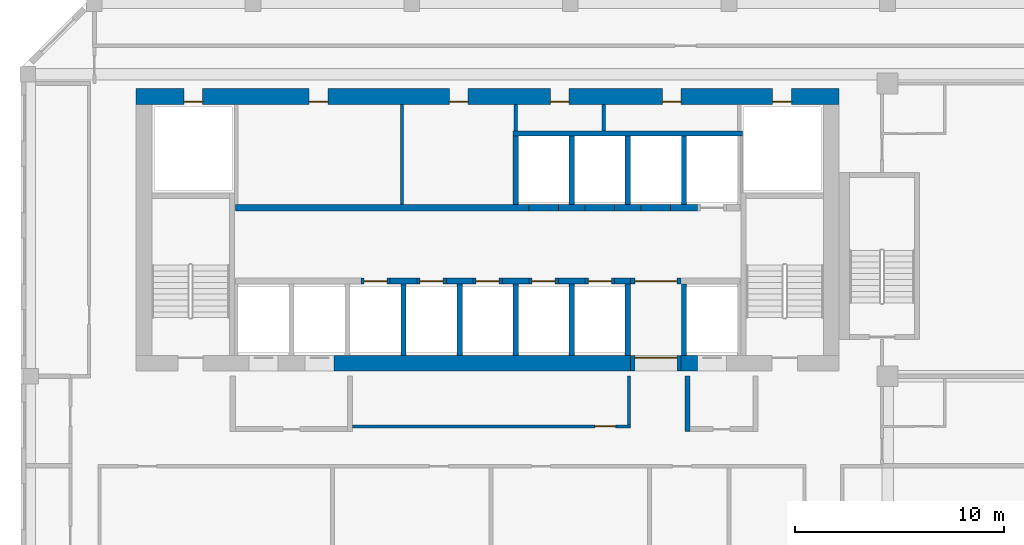
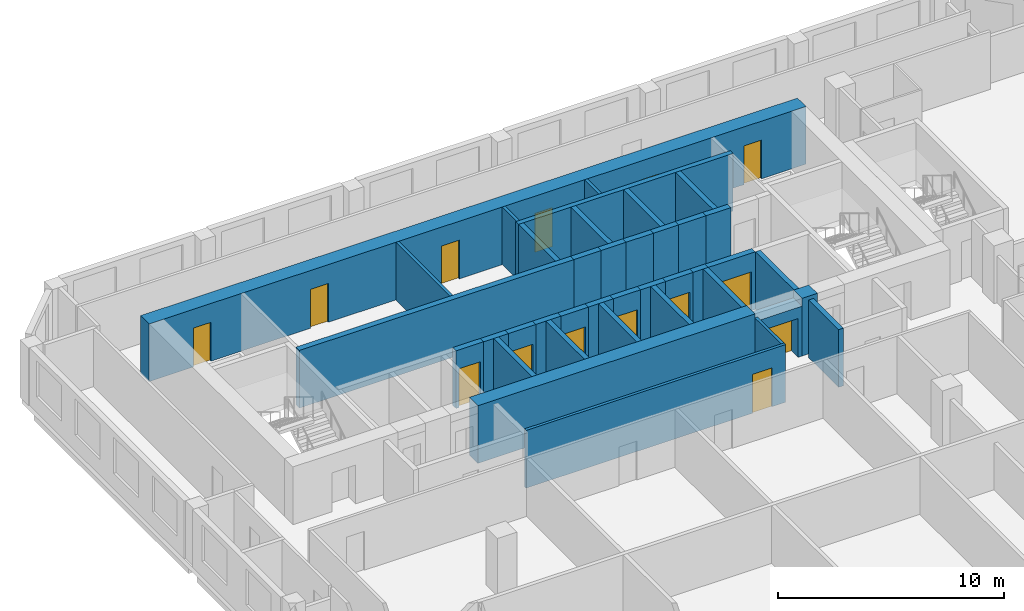
# One storey, part 7 of 21: 39 walls, 14 doors, 14 openings.
"""IFC4 building model written with IfcOpenShell, lengths in metres."""

from ifc_helpers import new_model, si_unit, direction, frame, frame_2d, origin, place, context, subcontext, project, spatial, rectangle, extrude, source, transform, mapped, material, layer, layer_set, type_object, element, fill, save


model = new_model("IFC4")

# Units and contexts
model_context = context("Model", 3, precision=1e-05, world=origin(), true_north=direction((0.0, 1.0)))
body_context = subcontext(model_context, "Body", "Model", "MODEL_VIEW")
ifc_project = project(units=[si_unit("LENGTHUNIT", "METRE"), si_unit("AREAUNIT", "SQUARE_METRE"), si_unit("VOLUMEUNIT", "CUBIC_METRE"), si_unit("PLANEANGLEUNIT", "RADIAN"), si_unit("MASSUNIT", "GRAM", prefix="KILO")], contexts=[model_context])

# Site, building, storey
site_placement = place(None, origin())
site = spatial("IfcSite", under=ifc_project, at=site_placement, CompositionType="ELEMENT")
building_placement = place(site_placement, origin())
building = spatial("IfcBuilding", under=site, at=building_placement, Name="Kilnfold Tower and Market Hall", CompositionType="ELEMENT")
storey_placement = place(building_placement, frame((0.0, 0.0, 210.10009765625)))
storey = spatial("IfcBuildingStorey", under=building, at=storey_placement, Name="L51", CompositionType="ELEMENT", Elevation=210.10009765625)

# Wall, opening, door
ifc_material_1 = material(Name="Gypsum board on steel studs", Category="steel")
ifc_layer_1 = layer(ifc_material_1, 0.14990234375)
ifc_layer_set_1 = layer_set([ifc_layer_1], Name="Gypsum board on steel studs")
wall_type_1 = type_object("IfcWallType", Name="WALL CORRIDOR 150", PredefinedType="PARTITIONING", material=ifc_layer_set_1)
wall_1_placement = place(storey_placement, frame((7.875, 5.60009765625, 0.0), z_axis=(0.0, 0.0, 1.0), x_axis=(-1.0, 0.0, 0.0)))
wall_1 = element("IfcWall", 1, at=wall_1_placement, inside=storey, type_object=wall_type_1, Name="Partition LY31.32", PredefinedType="PARTITIONING", context=body_context, shape_type="SweptSolid", body=[
    extrude(rectangle(XDim=13.27490234375, YDim=0.14990234375, at=frame_2d((6.637451171875, 0.0))), origin(), (0.0, 0.0, 1.0), 3.119873046875),
])
opening_1_placement = place(wall_1_placement, frame((0.702880859375, 0.0, 0.0)))
opening_1 = element("IfcOpeningElement", 2, at=opening_1_placement, cuts=wall_1, Name="Opening D1", PredefinedType="OPENING", context=body_context, shape_type="SweptSolid", body=[
    extrude(rectangle(XDim=1.0, YDim=2.10009765625, at=frame_2d((0.5, 1.050048828125))), frame((0.0, 0.0849609375, 0.0), z_axis=(0.0, -1.0, 0.0), x_axis=(1.0, 0.0, 0.0)), (0.0, 0.0, 1.0), 0.169921875),
])
ifc_material_2 = material(Name="Timber veneer door leaf in steel frame", Category="steel")
door_type_1 = type_object("IfcDoorType", Name="DOOR ENTRY 1000 X2100", OperationType="NOTDEFINED", PredefinedType="DOOR", material=ifc_material_2)
door_1_placement = place(opening_1_placement, origin())
door_1 = element("IfcDoor", 3, at=door_1_placement, inside=storey, type_object=door_type_1, Name="Door D1", OperationType="SINGLE_SWING_RIGHT", OverallHeight=2.10009765625, OverallWidth=1.0, PredefinedType="DOOR", context=body_context, shape_type="SweptSolid", body=[
    extrude(rectangle(XDim=1.0, YDim=2.10009765625, at=frame_2d((0.5, 1.050048828125))), frame((0.0, 0.02490234375, 0.0), z_axis=(0.0, -1.0, 0.0), x_axis=(1.0, 0.0, 0.0)), (0.0, 0.0, 1.0), 0.050048828125),
])
fill(opening_1, door_1)

# Walls
wall_2_placement = place(storey_placement, frame((7.800048828125, 8.0, 0.0), z_axis=(0.0, 0.0, 1.0), x_axis=(0.0, -1.0, 0.0)))
element("IfcWall", 4, at=wall_2_placement, inside=storey, type_object=wall_type_1, Name="Partition LY31.33", PredefinedType="PARTITIONING", context=body_context, shape_type="SweptSolid", body=[
    extrude(rectangle(XDim=2.324951171875, YDim=0.14990234375, at=frame_2d((1.16259765625, 0.0))), origin(), (0.0, 0.0, 1.0), 3.119873046875),
])
ifc_material_3 = material(Name="Concrete C60", Category="concrete")
ifc_layer_2 = layer(ifc_material_3, 0.300048828125)
ifc_layer_set_2 = layer_set([ifc_layer_2], Name="Concrete C60")
wall_type_2 = type_object("IfcWallType", Name="CORE WALL 300 C60", PredefinedType="SHEAR", material=ifc_layer_set_2)
shared_shape_1 = source(origin(), body_context, "Body", "SweptSolid", [
    extrude(rectangle(XDim=1.280029296875, YDim=0.300048828125, at=frame_2d((0.64013671875, 0.0))), origin(), (0.0, 0.0, 1.0), 3.119873046875),
])
for number, where, z_axis, x_axis, name in (
    (5, (-3.610107421875, 12.550048828125, 0.0), (0.0, 0.0, 1.0), (1.0, 0.0, 0.0), "Core spine wall"),
    (6, (-0.929931640625, 12.550048828125, 0.0), (0.0, 0.0, 1.0), (1.0, 0.0, 0.0), "Core spine wall"),
    (7, (1.75, 12.550048828125, 0.0), (0.0, 0.0, 1.0), (1.0, 0.0, 0.0), "Core spine wall"),
    (8, (4.429931640625, 12.550048828125, 0.0), (0.0, 0.0, 1.0), (1.0, 0.0, 0.0), "Core spine wall"),
    (9, (4.429931640625, 16.050048828125, 0.0), (0.0, 0.0, 1.0), (1.0, 0.0, 0.0), "Core spine wall"),
    (10, (9.7900390625, 16.050048828125, 0.0), (0.0, 0.0, 1.0), (1.0, 0.0, 0.0), "Core spine wall"),
):
    element("IfcWall", number, at=place(storey_placement, frame(where, z_axis=z_axis, x_axis=x_axis)), inside=storey, type_object=wall_type_2, Name=name, PredefinedType="SHEAR", context=body_context, shape_type="MappedRepresentation", body=[
        mapped(shared_shape_1, transform((0.0, 0.0, 0.0))),
    ])
shared_shape_2 = source(origin(), body_context, "Body", "SweptSolid", [
    extrude(rectangle(XDim=0.77978515625, YDim=0.300048828125, at=frame_2d((0.389892578125, 0.0))), origin(), (0.0, 0.0, 1.0), 3.119873046875),
])
wall_3_placement = place(storey_placement, frame((7.110107421875, 12.550048828125, 0.0), z_axis=(0.0, 0.0, 1.0), x_axis=(1.0, 0.0, 0.0)))
element("IfcWall", 11, at=wall_3_placement, inside=storey, type_object=wall_type_2, Name="Core spine wall", PredefinedType="SHEAR", context=body_context, shape_type="MappedRepresentation", body=[
    mapped(shared_shape_2, transform((0.0, 0.0, 0.0))),
])
shared_shape_3 = source(origin(), body_context, "Body", "SweptSolid", [
    extrude(rectangle(XDim=14.0400390625, YDim=0.300048828125, at=frame_2d((7.02001953125, 0.0))), origin(), (0.0, 0.0, 1.0), 3.119873046875),
])
wall_4_placement = place(storey_placement, frame((-11.010009765625, 16.050048828125, 0.0), z_axis=(0.0, 0.0, 1.0), x_axis=(1.0, 0.0, 0.0)))
element("IfcWall", 12, at=wall_4_placement, inside=storey, type_object=wall_type_2, Name="Core spine wall", PredefinedType="SHEAR", context=body_context, shape_type="MappedRepresentation", body=[
    mapped(shared_shape_3, transform((0.0, 0.0, 0.0))),
])
shared_shape_4 = source(origin(), body_context, "Body", "SweptSolid", [
    extrude(rectangle(XDim=1.27978515625, YDim=0.300048828125, at=frame_2d((0.639892578125, 0.0))), origin(), (0.0, 0.0, 1.0), 3.119873046875),
])
wall_5_placement = place(storey_placement, frame((7.110107421875, 16.050048828125, 0.0), z_axis=(0.0, 0.0, 1.0), x_axis=(1.0, 0.0, 0.0)))
element("IfcWall", 13, at=wall_5_placement, inside=storey, type_object=wall_type_2, Name="Core spine wall", PredefinedType="SHEAR", context=body_context, shape_type="MappedRepresentation", body=[
    mapped(shared_shape_4, transform((0.0, 0.0, 0.0))),
])
ifc_material_4 = material(Name="Concrete C60", Category="concrete")
ifc_layer_3 = layer(ifc_material_4, 0.75)
ifc_layer_set_3 = layer_set([ifc_layer_3], Name="Concrete C60")
wall_type_3 = type_object("IfcWallType", Name="CORE WALL 750 C60", PredefinedType="SHEAR", material=ifc_layer_set_3)
shared_shape_5 = source(origin(), body_context, "Body", "SweptSolid", [
    extrude(rectangle(XDim=14.179931640625, YDim=0.75, at=frame_2d((7.08984375, 0.0))), origin(), (0.0, 0.0, 1.0), 3.119873046875),
])
wall_6_placement = place(storey_placement, frame((-6.2900390625, 8.625, 0.0), z_axis=(0.0, 0.0, 1.0), x_axis=(1.0, 0.0, 0.0)))
element("IfcWall", 14, at=wall_6_placement, inside=storey, type_object=wall_type_3, Name="Core outer wall south", PredefinedType="SHEAR", context=body_context, shape_type="MappedRepresentation", body=[
    mapped(shared_shape_5, transform((0.0, 0.0, 0.0))),
])
shared_shape_6 = source(origin(), body_context, "Body", "SweptSolid", [
    extrude(rectangle(XDim=0.780029296875, YDim=0.75, at=frame_2d((0.39013671875, 0.0))), origin(), (0.0, 0.0, 1.0), 3.119873046875),
])
wall_7_placement = place(storey_placement, frame((10.2900390625, 8.625, 0.0), z_axis=(0.0, 0.0, 1.0), x_axis=(1.0, 0.0, 0.0)))
element("IfcWall", 15, at=wall_7_placement, inside=storey, type_object=wall_type_3, Name="Core outer wall south", PredefinedType="SHEAR", context=body_context, shape_type="MappedRepresentation", body=[
    mapped(shared_shape_6, transform((0.0, 0.0, 0.0))),
])

# Wall, openings, doors
shared_shape_7 = source(origin(), body_context, "Body", "SweptSolid", [
    extrude(rectangle(XDim=33.60009765625, YDim=0.75, at=frame_2d((16.800048828125, 0.0))), origin(), (0.0, 0.0, 1.0), 3.119873046875),
])
wall_8_placement = place(storey_placement, frame((-15.75, 21.375, 0.0), z_axis=(0.0, 0.0, 1.0), x_axis=(1.0, 0.0, 0.0)))
wall_8 = element("IfcWall", 16, at=wall_8_placement, inside=storey, type_object=wall_type_3, Name="Core outer wall north", PredefinedType="SHEAR", context=body_context, shape_type="MappedRepresentation", body=[
    mapped(shared_shape_7, transform((0.0, 0.0, 0.0))),
])
opening_2_placement = place(wall_8_placement, frame((8.269775390625, 0.0, 0.0)))
opening_2 = element("IfcOpeningElement", 17, at=opening_2_placement, cuts=wall_8, Name="Opening KD1", PredefinedType="OPENING", context=body_context, shape_type="SweptSolid", body=[
    extrude(rectangle(XDim=0.89990234375, YDim=2.10009765625, at=frame_2d((0.449951171875, 1.050048828125))), frame((0.0, 0.385009765625, 0.0), z_axis=(0.0, -1.0, 0.0), x_axis=(1.0, 0.0, 0.0)), (0.0, 0.0, 1.0), 0.77001953125),
])
opening_3_placement = place(wall_8_placement, frame((14.9697265625, 0.0, 0.0)))
opening_3 = element("IfcOpeningElement", 18, at=opening_3_placement, cuts=wall_8, Name="Opening KD1", PredefinedType="OPENING", context=body_context, shape_type="SweptSolid", body=[
    extrude(rectangle(XDim=0.89990234375, YDim=2.10009765625, at=frame_2d((0.449951171875, 1.050048828125))), frame((0.0, 0.385009765625, 0.0), z_axis=(0.0, -1.0, 0.0), x_axis=(1.0, 0.0, 0.0)), (0.0, 0.0, 1.0), 0.77001953125),
])
opening_4_placement = place(wall_8_placement, frame((19.793701171875, 0.0, 0.0)))
opening_4 = element("IfcOpeningElement", 19, at=opening_4_placement, cuts=wall_8, Name="Opening KD1", PredefinedType="OPENING", context=body_context, shape_type="SweptSolid", body=[
    extrude(rectangle(XDim=0.89990234375, YDim=2.10009765625, at=frame_2d((0.449951171875, 1.050048828125))), frame((0.0, 0.385009765625, 0.0), z_axis=(0.0, -1.0, 0.0), x_axis=(1.0, 0.0, 0.0)), (0.0, 0.0, 1.0), 0.77001953125),
])
opening_5_placement = place(wall_8_placement, frame((25.15380859375, 0.0, 0.0)))
opening_5 = element("IfcOpeningElement", 20, at=opening_5_placement, cuts=wall_8, Name="Opening KD1", PredefinedType="OPENING", context=body_context, shape_type="SweptSolid", body=[
    extrude(rectangle(XDim=0.89990234375, YDim=2.10009765625, at=frame_2d((0.449951171875, 1.050048828125))), frame((0.0, 0.385009765625, 0.0), z_axis=(0.0, -1.0, 0.0), x_axis=(1.0, 0.0, 0.0)), (0.0, 0.0, 1.0), 0.77001953125),
])
opening_6_placement = place(wall_8_placement, frame((2.27490234375, 0.0, 0.0)))
opening_6 = element("IfcOpeningElement", 21, at=opening_6_placement, cuts=wall_8, Name="Opening KD1", PredefinedType="OPENING", context=body_context, shape_type="SweptSolid", body=[
    extrude(rectangle(XDim=0.89990234375, YDim=2.10009765625, at=frame_2d((0.449951171875, 1.050048828125))), frame((0.0, 0.385009765625, 0.0), z_axis=(0.0, -1.0, 0.0), x_axis=(1.0, 0.0, 0.0)), (0.0, 0.0, 1.0), 0.77001953125),
])
opening_7_placement = place(wall_8_placement, frame((30.425048828125, 0.0, 0.0)))
opening_7 = element("IfcOpeningElement", 22, at=opening_7_placement, cuts=wall_8, Name="Opening KD1", PredefinedType="OPENING", context=body_context, shape_type="SweptSolid", body=[
    extrude(rectangle(XDim=0.89990234375, YDim=2.10009765625, at=frame_2d((0.449951171875, 1.050048828125))), frame((0.0, 0.385009765625, 0.0), z_axis=(0.0, -1.0, 0.0), x_axis=(1.0, 0.0, 0.0)), (0.0, 0.0, 1.0), 0.77001953125),
])
ifc_material_5 = material(Name="Steel door set with fire-resisting leaf", Category="steel")
door_type_2 = type_object("IfcDoorType", Name="SERVICE DOOR 900X2100", OperationType="NOTDEFINED", PredefinedType="DOOR", material=ifc_material_5)
door_2_placement = place(opening_2_placement, origin())
door_2 = element("IfcDoor", 23, at=door_2_placement, inside=storey, type_object=door_type_2, Name="Core service door", OperationType="SINGLE_SWING_RIGHT", OverallHeight=2.10009765625, OverallWidth=0.89990234375, PredefinedType="DOOR", context=body_context, shape_type="SweptSolid", body=[
    extrude(rectangle(XDim=0.89990234375, YDim=2.10009765625, at=frame_2d((0.449951171875, 1.050048828125))), frame((0.0, -0.22998046875, 0.0), z_axis=(0.0, -1.0, 0.0), x_axis=(1.0, 0.0, 0.0)), (0.0, 0.0, 1.0), 0.050048828125),
])
fill(opening_2, door_2)
door_3_placement = place(opening_3_placement, origin())
door_3 = element("IfcDoor", 24, at=door_3_placement, inside=storey, type_object=door_type_2, Name="Core service door", OperationType="SINGLE_SWING_LEFT", OverallHeight=2.10009765625, OverallWidth=0.89990234375, PredefinedType="DOOR", context=body_context, shape_type="SweptSolid", body=[
    extrude(rectangle(XDim=0.89990234375, YDim=2.10009765625, at=frame_2d((0.449951171875, 1.050048828125))), frame((0.0, -0.22998046875, 0.0), z_axis=(0.0, -1.0, 0.0), x_axis=(1.0, 0.0, 0.0)), (0.0, 0.0, 1.0), 0.050048828125),
])
fill(opening_3, door_3)
door_4_placement = place(opening_4_placement, origin())
door_4 = element("IfcDoor", 25, at=door_4_placement, inside=storey, type_object=door_type_2, Name="Core service door", OperationType="SINGLE_SWING_RIGHT", OverallHeight=2.10009765625, OverallWidth=0.89990234375, PredefinedType="DOOR", context=body_context, shape_type="SweptSolid", body=[
    extrude(rectangle(XDim=0.89990234375, YDim=2.10009765625, at=frame_2d((0.449951171875, 1.050048828125))), frame((0.0, -0.22998046875, 0.0), z_axis=(0.0, -1.0, 0.0), x_axis=(1.0, 0.0, 0.0)), (0.0, 0.0, 1.0), 0.050048828125),
])
fill(opening_4, door_4)
door_5_placement = place(opening_5_placement, origin())
door_5 = element("IfcDoor", 26, at=door_5_placement, inside=storey, type_object=door_type_2, Name="Core service door", OperationType="SINGLE_SWING_LEFT", OverallHeight=2.10009765625, OverallWidth=0.89990234375, PredefinedType="DOOR", context=body_context, shape_type="SweptSolid", body=[
    extrude(rectangle(XDim=0.89990234375, YDim=2.10009765625, at=frame_2d((0.449951171875, 1.050048828125))), frame((0.0, -0.22998046875, 0.0), z_axis=(0.0, -1.0, 0.0), x_axis=(1.0, 0.0, 0.0)), (0.0, 0.0, 1.0), 0.050048828125),
])
fill(opening_5, door_5)
door_6_placement = place(opening_6_placement, origin())
door_6 = element("IfcDoor", 27, at=door_6_placement, inside=storey, type_object=door_type_2, Name="Electrical riser access door", OperationType="SINGLE_SWING_RIGHT", OverallHeight=2.10009765625, OverallWidth=0.89990234375, PredefinedType="DOOR", context=body_context, shape_type="SweptSolid", body=[
    extrude(rectangle(XDim=0.89990234375, YDim=2.10009765625, at=frame_2d((0.449951171875, 1.050048828125))), frame((0.0, -0.22998046875, 0.0), z_axis=(0.0, -1.0, 0.0), x_axis=(1.0, 0.0, 0.0)), (0.0, 0.0, 1.0), 0.050048828125),
])
fill(opening_6, door_6)
door_7_placement = place(opening_7_placement, origin())
door_7 = element("IfcDoor", 28, at=door_7_placement, inside=storey, type_object=door_type_2, Name="Mechanical riser access door", OperationType="SINGLE_SWING_LEFT", OverallHeight=2.10009765625, OverallWidth=0.89990234375, PredefinedType="DOOR", context=body_context, shape_type="SweptSolid", body=[
    extrude(rectangle(XDim=0.89990234375, YDim=2.10009765625, at=frame_2d((0.449951171875, 1.050048828125))), frame((0.0, -0.22998046875, 0.0), z_axis=(0.0, -1.0, 0.0), x_axis=(1.0, 0.0, 0.0)), (0.0, 0.0, 1.0), 0.050048828125),
])
fill(opening_7, door_7)

# Wall, opening, door
ifc_material_6 = material(Name="Gypsum shaft wall system")
ifc_layer_4 = layer(ifc_material_6, 0.300048828125)
ifc_layer_set_4 = layer_set([ifc_layer_4], Name="Gypsum shaft wall system")
wall_type_4 = type_object("IfcWallType", Name="SHAFT WALL 300", PredefinedType="PARTITIONING", material=ifc_layer_set_4)
shared_shape_8 = source(origin(), body_context, "Body", "SweptSolid", [
    extrude(rectangle(XDim=1.39990234375, YDim=0.300048828125, at=frame_2d((0.699951171875, 0.0))), origin(), (0.0, 0.0, 1.0), 3.119873046875),
])
wall_9_placement = place(storey_placement, frame((-5.010009765625, 12.550048828125, 0.0), z_axis=(0.0, 0.0, 1.0), x_axis=(1.0, 0.0, 0.0)))
wall_9 = element("IfcWall", 29, at=wall_9_placement, inside=storey, type_object=wall_type_4, Name="Lift shaft front wall", PredefinedType="PARTITIONING", context=body_context, shape_type="MappedRepresentation", body=[
    mapped(shared_shape_8, transform((0.0, 0.0, 0.0))),
])
opening_8_placement = place(wall_9_placement, frame((0.14990234375, 0.0, 0.0)))
opening_8 = element("IfcOpeningElement", 30, at=opening_8_placement, cuts=wall_9, Name="Opening LD2", PredefinedType="OPENING", context=body_context, shape_type="SweptSolid", body=[
    extrude(rectangle(XDim=1.10009765625, YDim=2.10009765625, at=frame_2d((0.550048828125, 1.050048828125))), frame((0.0, 0.16015625, 0.0), z_axis=(0.0, -1.0, 0.0), x_axis=(1.0, 0.0, 0.0)), (0.0, 0.0, 1.0), 0.320068359375),
])
ifc_material_7 = material(Name="Steel door set with fire-resisting leaf", Category="steel")
door_type_3 = type_object("IfcDoorType", Name="LANDING DOOR 1100X2100", OperationType="NOTDEFINED", PredefinedType="DOOR", material=ifc_material_7)
door_8_placement = place(opening_8_placement, origin())
door_8 = element("IfcDoor", 31, at=door_8_placement, inside=storey, type_object=door_type_3, Name="Landing door MR1", OperationType="DOUBLE_DOOR_SLIDING", OverallHeight=2.10009765625, OverallWidth=1.10009765625, PredefinedType="DOOR", context=body_context, shape_type="SweptSolid", body=[
    extrude(rectangle(XDim=1.10009765625, YDim=2.10009765625, at=frame_2d((0.550048828125, 1.050048828125))), frame((0.0, 0.02490234375, 0.0), z_axis=(0.0, -1.0, 0.0), x_axis=(1.0, 0.0, 0.0)), (0.0, 0.0, 1.0), 0.050048828125),
])
fill(opening_8, door_8)

wall_10_placement = place(storey_placement, frame((0.35009765625, 12.550048828125, 0.0), z_axis=(0.0, 0.0, 1.0), x_axis=(1.0, 0.0, 0.0)))
wall_10 = element("IfcWall", 32, at=wall_10_placement, inside=storey, type_object=wall_type_4, Name="Lift shaft front wall", PredefinedType="PARTITIONING", context=body_context, shape_type="MappedRepresentation", body=[
    mapped(shared_shape_8, transform((0.0, 0.0, 0.0))),
])
opening_9_placement = place(wall_10_placement, frame((0.14990234375, 0.0, 0.0)))
opening_9 = element("IfcOpeningElement", 33, at=opening_9_placement, cuts=wall_10, Name="Opening LD2", PredefinedType="OPENING", context=body_context, shape_type="SweptSolid", body=[
    extrude(rectangle(XDim=1.10009765625, YDim=2.10009765625, at=frame_2d((0.550048828125, 1.050048828125))), frame((0.0, 0.16015625, 0.0), z_axis=(0.0, -1.0, 0.0), x_axis=(1.0, 0.0, 0.0)), (0.0, 0.0, 1.0), 0.320068359375),
])
door_9_placement = place(opening_9_placement, origin())
door_9 = element("IfcDoor", 34, at=door_9_placement, inside=storey, type_object=door_type_3, Name="Landing door MR3", OperationType="DOUBLE_DOOR_SLIDING", OverallHeight=2.10009765625, OverallWidth=1.10009765625, PredefinedType="DOOR", context=body_context, shape_type="SweptSolid", body=[
    extrude(rectangle(XDim=1.10009765625, YDim=2.10009765625, at=frame_2d((0.550048828125, 1.050048828125))), frame((0.0, 0.02490234375, 0.0), z_axis=(0.0, -1.0, 0.0), x_axis=(1.0, 0.0, 0.0)), (0.0, 0.0, 1.0), 0.050048828125),
])
fill(opening_9, door_9)

wall_11_placement = place(storey_placement, frame((3.030029296875, 12.550048828125, 0.0), z_axis=(0.0, 0.0, 1.0), x_axis=(1.0, 0.0, 0.0)))
wall_11 = element("IfcWall", 35, at=wall_11_placement, inside=storey, type_object=wall_type_4, Name="Lift shaft front wall", PredefinedType="PARTITIONING", context=body_context, shape_type="MappedRepresentation", body=[
    mapped(shared_shape_8, transform((0.0, 0.0, 0.0))),
])
opening_10_placement = place(wall_11_placement, frame((0.14990234375, 0.0, 0.0)))
opening_10 = element("IfcOpeningElement", 36, at=opening_10_placement, cuts=wall_11, Name="Opening LD2", PredefinedType="OPENING", context=body_context, shape_type="SweptSolid", body=[
    extrude(rectangle(XDim=1.10009765625, YDim=2.10009765625, at=frame_2d((0.550048828125, 1.050048828125))), frame((0.0, 0.16015625, 0.0), z_axis=(0.0, -1.0, 0.0), x_axis=(1.0, 0.0, 0.0)), (0.0, 0.0, 1.0), 0.320068359375),
])
door_10_placement = place(opening_10_placement, origin())
door_10 = element("IfcDoor", 37, at=door_10_placement, inside=storey, type_object=door_type_3, Name="Landing door MR4", OperationType="DOUBLE_DOOR_SLIDING", OverallHeight=2.10009765625, OverallWidth=1.10009765625, PredefinedType="DOOR", context=body_context, shape_type="SweptSolid", body=[
    extrude(rectangle(XDim=1.10009765625, YDim=2.10009765625, at=frame_2d((0.550048828125, 1.050048828125))), frame((0.0, 0.02490234375, 0.0), z_axis=(0.0, -1.0, 0.0), x_axis=(1.0, 0.0, 0.0)), (0.0, 0.0, 1.0), 0.050048828125),
])
fill(opening_10, door_10)

# Wall
wall_12_placement = place(storey_placement, frame((3.030029296875, 16.050048828125, 0.0), z_axis=(0.0, 0.0, 1.0), x_axis=(1.0, 0.0, 0.0)))
element("IfcWall", 38, at=wall_12_placement, inside=storey, type_object=wall_type_4, Name="Lift shaft front wall", PredefinedType="PARTITIONING", context=body_context, shape_type="MappedRepresentation", body=[
    mapped(shared_shape_8, transform((0.0, 0.0, 0.0))),
])

# Wall, opening, door
shared_shape_9 = source(origin(), body_context, "Body", "SweptSolid", [
    extrude(rectangle(XDim=1.400146484375, YDim=0.300048828125, at=frame_2d((0.7001953125, 0.0))), origin(), (0.0, 0.0, 1.0), 3.119873046875),
])
wall_13_placement = place(storey_placement, frame((-2.330078125, 12.550048828125, 0.0), z_axis=(0.0, 0.0, 1.0), x_axis=(1.0, 0.0, 0.0)))
wall_13 = element("IfcWall", 39, at=wall_13_placement, inside=storey, type_object=wall_type_4, Name="Lift shaft front wall", PredefinedType="PARTITIONING", context=body_context, shape_type="MappedRepresentation", body=[
    mapped(shared_shape_9, transform((0.0, 0.0, 0.0))),
])
opening_11_placement = place(wall_13_placement, frame((0.14990234375, 0.0, 0.0)))
opening_11 = element("IfcOpeningElement", 40, at=opening_11_placement, cuts=wall_13, Name="Opening LD2", PredefinedType="OPENING", context=body_context, shape_type="SweptSolid", body=[
    extrude(rectangle(XDim=1.10009765625, YDim=2.10009765625, at=frame_2d((0.550048828125, 1.050048828125))), frame((0.0, 0.16015625, 0.0), z_axis=(0.0, -1.0, 0.0), x_axis=(1.0, 0.0, 0.0)), (0.0, 0.0, 1.0), 0.320068359375),
])
door_11_placement = place(opening_11_placement, origin())
door_11 = element("IfcDoor", 41, at=door_11_placement, inside=storey, type_object=door_type_3, Name="Landing door MR2", OperationType="DOUBLE_DOOR_SLIDING", OverallHeight=2.10009765625, OverallWidth=1.10009765625, PredefinedType="DOOR", context=body_context, shape_type="SweptSolid", body=[
    extrude(rectangle(XDim=1.10009765625, YDim=2.10009765625, at=frame_2d((0.550048828125, 1.050048828125))), frame((0.0, 0.02490234375, 0.0), z_axis=(0.0, -1.0, 0.0), x_axis=(1.0, 0.0, 0.0)), (0.0, 0.0, 1.0), 0.050048828125),
])
fill(opening_11, door_11)

wall_14_placement = place(storey_placement, frame((5.7099609375, 12.550048828125, 0.0), z_axis=(0.0, 0.0, 1.0), x_axis=(1.0, 0.0, 0.0)))
wall_14 = element("IfcWall", 42, at=wall_14_placement, inside=storey, type_object=wall_type_4, Name="Lift shaft front wall", PredefinedType="PARTITIONING", context=body_context, shape_type="MappedRepresentation", body=[
    mapped(shared_shape_9, transform((0.0, 0.0, 0.0))),
])
opening_12_placement = place(wall_14_placement, frame((0.14990234375, 0.0, 0.0)))
opening_12 = element("IfcOpeningElement", 43, at=opening_12_placement, cuts=wall_14, Name="Opening LD2", PredefinedType="OPENING", context=body_context, shape_type="SweptSolid", body=[
    extrude(rectangle(XDim=1.10009765625, YDim=2.10009765625, at=frame_2d((0.550048828125, 1.050048828125))), frame((0.0, 0.16015625, 0.0), z_axis=(0.0, -1.0, 0.0), x_axis=(1.0, 0.0, 0.0)), (0.0, 0.0, 1.0), 0.320068359375),
])
door_12_placement = place(opening_12_placement, origin())
door_12 = element("IfcDoor", 44, at=door_12_placement, inside=storey, type_object=door_type_3, Name="Landing door MR5", OperationType="DOUBLE_DOOR_SLIDING", OverallHeight=2.10009765625, OverallWidth=1.10009765625, PredefinedType="DOOR", context=body_context, shape_type="SweptSolid", body=[
    extrude(rectangle(XDim=1.10009765625, YDim=2.10009765625, at=frame_2d((0.550048828125, 1.050048828125))), frame((0.0, 0.02490234375, 0.0), z_axis=(0.0, -1.0, 0.0), x_axis=(1.0, 0.0, 0.0)), (0.0, 0.0, 1.0), 0.050048828125),
])
fill(opening_12, door_12)

# Walls
for number, where, z_axis, x_axis, name in (
    (45, (5.7099609375, 16.050048828125, 0.0), (0.0, 0.0, 1.0), (1.0, 0.0, 0.0), "Lift shaft front wall"),
    (46, (8.389892578125, 16.050048828125, 0.0), (0.0, 0.0, 1.0), (1.0, 0.0, 0.0), "Lift shaft front wall"),
):
    element("IfcWall", number, at=place(storey_placement, frame(where, z_axis=z_axis, x_axis=x_axis)), inside=storey, type_object=wall_type_4, Name=name, PredefinedType="PARTITIONING", context=body_context, shape_type="MappedRepresentation", body=[
        mapped(shared_shape_9, transform((0.0, 0.0, 0.0))),
    ])

# Wall, opening, door
shared_shape_10 = source(origin(), body_context, "Body", "SweptSolid", [
    extrude(rectangle(XDim=2.400146484375, YDim=0.300048828125, at=frame_2d((1.2001953125, 0.0))), origin(), (0.0, 0.0, 1.0), 3.119873046875),
])
wall_15_placement = place(storey_placement, frame((7.889892578125, 12.550048828125, 0.0), z_axis=(0.0, 0.0, 1.0), x_axis=(1.0, 0.0, 0.0)))
wall_15 = element("IfcWall", 47, at=wall_15_placement, inside=storey, type_object=wall_type_4, Name="Lift shaft front wall", PredefinedType="PARTITIONING", context=body_context, shape_type="MappedRepresentation", body=[
    mapped(shared_shape_10, transform((0.0, 0.0, 0.0))),
])
opening_13_placement = place(wall_15_placement, frame((0.199951171875, 0.0, 0.0)))
opening_13 = element("IfcOpeningElement", 48, at=opening_13_placement, cuts=wall_15, Name="Opening VD2", PredefinedType="OPENING", context=body_context, shape_type="SweptSolid", body=[
    extrude(rectangle(XDim=2.0, YDim=2.10009765625, at=frame_2d((1.0, 1.050048828125))), frame((0.0, 0.16015625, 0.0), z_axis=(0.0, -1.0, 0.0), x_axis=(1.0, 0.0, 0.0)), (0.0, 0.0, 1.0), 0.320068359375),
])
ifc_material_8 = material(Name="Steel door set with fire-resisting leaf", Category="steel")
door_type_4 = type_object("IfcDoorType", Name="LIFT LOBBY ENTRANCE DOOR 2000X2100", OperationType="NOTDEFINED", PredefinedType="DOOR", material=ifc_material_8)
door_13_placement = place(opening_13_placement, origin())
door_13 = element("IfcDoor", 49, at=door_13_placement, inside=storey, type_object=door_type_4, Name="Lift lobby entrance door", OperationType="DOUBLE_DOOR_SINGLE_SWING", OverallHeight=2.10009765625, OverallWidth=2.0, PredefinedType="DOOR", context=body_context, shape_type="SweptSolid", body=[
    extrude(rectangle(XDim=2.0, YDim=2.10009765625, at=frame_2d((1.0, 1.050048828125))), frame((0.0, 0.02490234375, 0.0), z_axis=(0.0, -1.0, 0.0), x_axis=(1.0, 0.0, 0.0)), (0.0, 0.0, 1.0), 0.050048828125),
])
fill(opening_13, door_13)

# Walls
ifc_material_9 = material(Name="Gypsum shaft wall system")
ifc_layer_5 = layer(ifc_material_9, 0.25)
ifc_layer_set_5 = layer_set([ifc_layer_5], Name="Gypsum shaft wall system")
wall_type_5 = type_object("IfcWallType", Name="LOBBY WALL 250", PredefinedType="PARTITIONING", material=ifc_layer_set_5)
shared_shape_11 = source(origin(), body_context, "Body", "SweptSolid", [
    extrude(rectangle(XDim=2.64990234375, YDim=0.25, at=frame_2d((1.324951171875, 0.0))), origin(), (0.0, 0.0, 1.0), 3.119873046875),
])
wall_16_placement = place(storey_placement, frame((10.60498046875, 5.35009765625, 0.0), z_axis=(0.0, 0.0, 1.0), x_axis=(0.0, 1.0, 0.0)))
element("IfcWall", 50, at=wall_16_placement, inside=storey, type_object=wall_type_5, Name="Firefighting lobby wall", PredefinedType="PARTITIONING", context=body_context, shape_type="MappedRepresentation", body=[
    mapped(shared_shape_11, transform((0.0, 0.0, 0.0))),
])
ifc_material_10 = material(Name="Gypsum shaft wall system")
ifc_layer_6 = layer(ifc_material_10, 0.25)
ifc_layer_set_6 = layer_set([ifc_layer_6], Name="Gypsum shaft wall system")
wall_type_6 = type_object("IfcWallType", Name="SHAFT WALL 250", PredefinedType="PARTITIONING", material=ifc_layer_set_6)
shared_shape_12 = source(origin(), body_context, "Body", "SweptSolid", [
    extrude(rectangle(XDim=10.97021484375, YDim=0.25, at=frame_2d((5.485107421875, 0.0))), origin(), (0.0, 0.0, 1.0), 3.119873046875),
])
wall_17_placement = place(storey_placement, frame((2.264892578125, 19.60009765625, 0.0), z_axis=(0.0, 0.0, 1.0), x_axis=(1.0, 0.0, 0.0)))
element("IfcWall", 51, at=wall_17_placement, inside=storey, type_object=wall_type_6, Name="Lift shaft wall", PredefinedType="PARTITIONING", context=body_context, shape_type="MappedRepresentation", body=[
    mapped(shared_shape_12, transform((0.0, 0.0, 0.0))),
])
shared_shape_13 = source(origin(), body_context, "Body", "SweptSolid", [
    extrude(rectangle(XDim=3.275146484375, YDim=0.25, at=frame_2d((1.6376953125, 0.0))), origin(), (0.0, 0.0, 1.0), 3.119873046875),
])
for number, where, z_axis, x_axis, name in (
    (52, (10.429931640625, 16.199951171875, 0.0), (0.0, 0.0, 1.0), (0.0, 1.0, 0.0), "Lift shaft wall"),
    (53, (2.389892578125, 16.199951171875, 0.0), (0.0, 0.0, 1.0), (0.0, 1.0, 0.0), "Lift shaft wall"),
    (54, (5.070068359375, 16.199951171875, 0.0), (0.0, 0.0, 1.0), (0.0, 1.0, 0.0), "Lift shaft wall"),
    (55, (7.75, 16.199951171875, 0.0), (0.0, 0.0, 1.0), (0.0, 1.0, 0.0), "Lift shaft wall"),
):
    element("IfcWall", number, at=place(storey_placement, frame(where, z_axis=z_axis, x_axis=x_axis)), inside=storey, type_object=wall_type_6, Name=name, PredefinedType="PARTITIONING", context=body_context, shape_type="MappedRepresentation", body=[
        mapped(shared_shape_13, transform((0.0, 0.0, 0.0))),
    ])
shared_shape_14 = source(origin(), body_context, "Body", "SweptSolid", [
    extrude(rectangle(XDim=3.39990234375, YDim=0.25, at=frame_2d((1.699951171875, 0.0))), origin(), (0.0, 0.0, 1.0), 3.119873046875),
])
for number, where, z_axis, x_axis, name in (
    (56, (10.429931640625, 9.0, 0.0), (0.0, 0.0, 1.0), (0.0, 1.0, 0.0), "Lift shaft wall"),
    (57, (2.389892578125, 9.0, 0.0), (0.0, 0.0, 1.0), (0.0, 1.0, 0.0), "Lift shaft wall"),
    (58, (5.070068359375, 9.0, 0.0), (0.0, 0.0, 1.0), (0.0, 1.0, 0.0), "Lift shaft wall"),
    (59, (7.75, 9.0, 0.0), (0.0, 0.0, 1.0), (0.0, 1.0, 0.0), "Lift shaft wall"),
    (60, (-0.2900390625, 9.0, 0.0), (0.0, 0.0, 1.0), (0.0, 1.0, 0.0), "Lift shaft wall"),
    (61, (-2.969970703125, 9.0, 0.0), (0.0, 0.0, 1.0), (0.0, 1.0, 0.0), "Lift shaft wall"),
):
    element("IfcWall", number, at=place(storey_placement, frame(where, z_axis=z_axis, x_axis=x_axis)), inside=storey, type_object=wall_type_6, Name=name, PredefinedType="PARTITIONING", context=body_context, shape_type="MappedRepresentation", body=[
        mapped(shared_shape_14, transform((0.0, 0.0, 0.0))),
    ])
ifc_material_11 = material(Name="Gypsum shaft wall system")
ifc_layer_7 = layer(ifc_material_11, 0.14990234375)
ifc_layer_set_7 = layer_set([ifc_layer_7], Name="Gypsum shaft wall system")
wall_type_7 = type_object("IfcWallType", Name="ROOM WALL 150", PredefinedType="PARTITIONING", material=ifc_layer_set_7)
shared_shape_15 = source(origin(), body_context, "Body", "SweptSolid", [
    extrude(rectangle(XDim=4.800048828125, YDim=0.14990234375, at=frame_2d((2.39990234375, 0.0))), origin(), (0.0, 0.0, 1.0), 3.119873046875),
])
wall_18_placement = place(storey_placement, frame((-3.05029296875, 16.199951171875, 0.0), z_axis=(0.0, 0.0, 1.0), x_axis=(0.0, 1.0, 0.0)))
element("IfcWall", 62, at=wall_18_placement, inside=storey, type_object=wall_type_7, Name="Core room wall", PredefinedType="PARTITIONING", context=body_context, shape_type="MappedRepresentation", body=[
    mapped(shared_shape_15, transform((0.0, 0.0, 0.0))),
])
shared_shape_16 = source(origin(), body_context, "Body", "SweptSolid", [
    extrude(rectangle(XDim=1.27490234375, YDim=0.14990234375, at=frame_2d((0.637451171875, 0.0))), origin(), (0.0, 0.0, 1.0), 3.119873046875),
])
for number, where, z_axis, x_axis, name in (
    (63, (2.389892578125, 19.72509765625, 0.0), (0.0, 0.0, 1.0), (0.0, 1.0, 0.0), "Core room wall"),
    (64, (6.59765625, 19.72509765625, 0.0), (0.0, 0.0, 1.0), (0.0, 1.0, 0.0), "Core room wall"),
):
    element("IfcWall", number, at=place(storey_placement, frame(where, z_axis=z_axis, x_axis=x_axis)), inside=storey, type_object=wall_type_7, Name=name, PredefinedType="PARTITIONING", context=body_context, shape_type="MappedRepresentation", body=[
        mapped(shared_shape_16, transform((0.0, 0.0, 0.0))),
    ])

# Wall, opening, door
ifc_material_12 = material(Name="Gypsum shaft wall system")
ifc_layer_8 = layer(ifc_material_12, 0.75)
ifc_layer_set_8 = layer_set([ifc_layer_8], Name="Gypsum shaft wall system")
wall_type_8 = type_object("IfcWallType", Name="LOBBY WALL 750", PredefinedType="PARTITIONING", material=ifc_layer_set_8)
shared_shape_17 = source(origin(), body_context, "Body", "SweptSolid", [
    extrude(rectangle(XDim=2.400146484375, YDim=0.75, at=frame_2d((1.2001953125, 0.0))), origin(), (0.0, 0.0, 1.0), 2.699951171875),
])
wall_19_placement = place(storey_placement, frame((7.889892578125, 8.625, 0.0), z_axis=(0.0, 0.0, 1.0), x_axis=(1.0, 0.0, 0.0)))
wall_19 = element("IfcWall", 65, at=wall_19_placement, inside=storey, type_object=wall_type_8, Name="Core wall infill", PredefinedType="PARTITIONING", context=body_context, shape_type="MappedRepresentation", body=[
    mapped(shared_shape_17, transform((0.0, 0.0, 0.0))),
])
opening_14_placement = place(wall_19_placement, frame((0.199951171875, 0.0, 0.0)))
opening_14 = element("IfcOpeningElement", 66, at=opening_14_placement, cuts=wall_19, Name="Opening VD2", PredefinedType="OPENING", context=body_context, shape_type="SweptSolid", body=[
    extrude(rectangle(XDim=2.0, YDim=2.10009765625, at=frame_2d((1.0, 1.050048828125))), frame((0.0, 0.385009765625, 0.0), z_axis=(0.0, -1.0, 0.0), x_axis=(1.0, 0.0, 0.0)), (0.0, 0.0, 1.0), 0.77001953125),
])
door_14_placement = place(opening_14_placement, origin())
door_14 = element("IfcDoor", 67, at=door_14_placement, inside=storey, type_object=door_type_4, Name="Lift lobby entrance door", OperationType="DOUBLE_DOOR_SINGLE_SWING", OverallHeight=2.10009765625, OverallWidth=2.0, PredefinedType="DOOR", context=body_context, shape_type="SweptSolid", body=[
    extrude(rectangle(XDim=2.0, YDim=2.10009765625, at=frame_2d((1.0, 1.050048828125))), frame((0.0, 0.27978515625, 0.0), z_axis=(0.0, -1.0, 0.0), x_axis=(1.0, 0.0, 0.0)), (0.0, 0.0, 1.0), 0.050048828125),
])
fill(opening_14, door_14)

save(model, "model.ifc")
